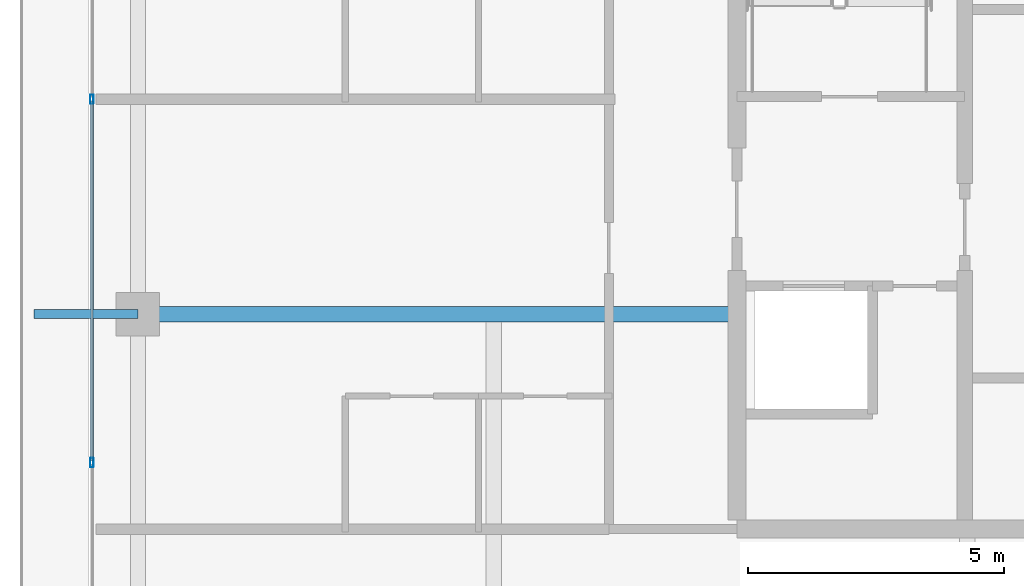
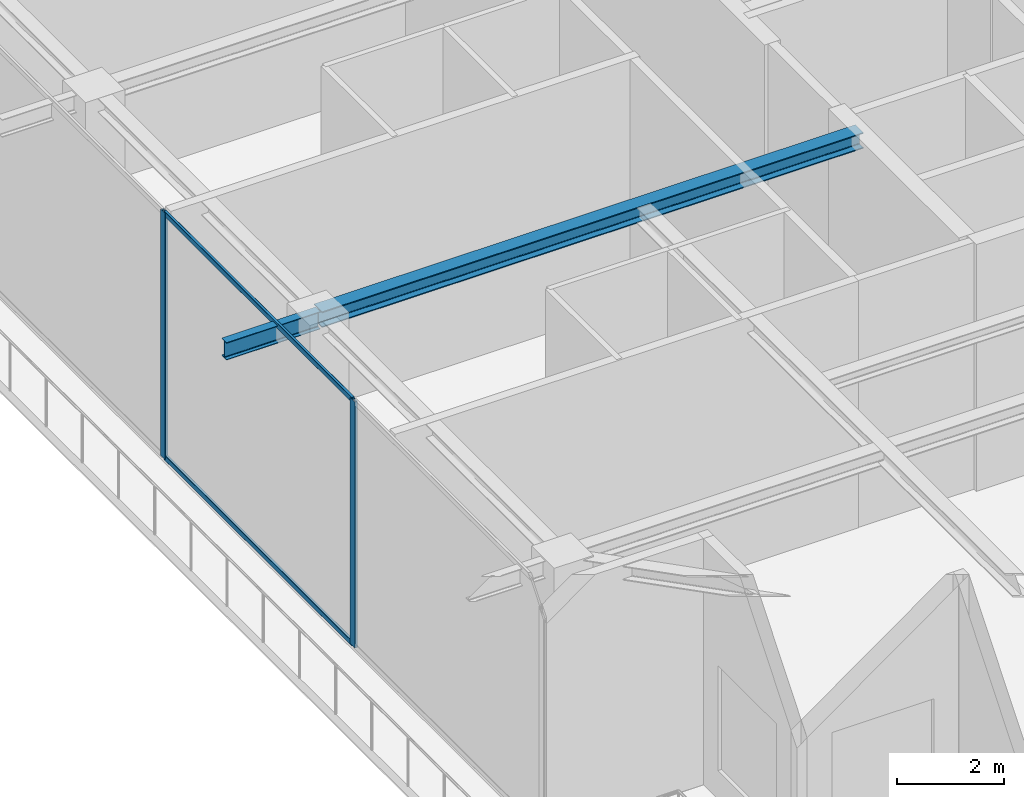
# One storey, part 8 of 38: 4 members, 2 beams, 1 element without a shape of its own.
"""IFC4 building model written with IfcOpenShell, lengths in metres."""

from ifc_helpers import new_model, si_unit, direction, frame, origin, origin_2d, place, context, subcontext, project, spatial, hollow_rectangle, i_section, extrude, source, transform, mapped, material, layer, layer_set, material_profile, profile_set, type_object, element, aggregate, save


model = new_model("IFC4")

# Units and contexts
model_context = context("Model", 3, precision=1e-05, world=origin(), true_north=direction((0.0, 1.0)))
body_context = subcontext(model_context, "Body", "Model", "MODEL_VIEW")
ifc_project = project(units=[si_unit("LENGTHUNIT", "METRE"), si_unit("AREAUNIT", "SQUARE_METRE"), si_unit("VOLUMEUNIT", "CUBIC_METRE"), si_unit("PLANEANGLEUNIT", "RADIAN"), si_unit("MASSUNIT", "GRAM", prefix="KILO")], contexts=[model_context])

# Site, building, storey
site_placement = place(None, origin())
site = spatial("IfcSite", under=ifc_project, at=site_placement, CompositionType="ELEMENT")
building_placement = place(site_placement, origin())
building = spatial("IfcBuilding", under=site, at=building_placement, Name="Serunith Strait Residences", CompositionType="ELEMENT")
storey_placement = place(building_placement, frame((0.0, 0.0, 342.050048828125)))
storey = spatial("IfcBuildingStorey", under=building, at=storey_placement, Name="L85", CompositionType="ELEMENT", Elevation=342.050048828125)

# Beams
ifc_material_1 = material(Name="Steel S355J2", Category="steel")
ifc_material_profile_1 = material_profile(ifc_material_1, i_section(OverallWidth=0.300048828125, OverallDepth=0.360107421875, WebThickness=0.012451171875, FlangeThickness=0.0224609375, FilletRadius=0.027099609375, at=origin_2d()), Name="HEB 360")
ifc_profile_set_1 = profile_set([ifc_material_profile_1], Name="Steel S355J2")
beam_type_1 = type_object("IfcBeamType", Name="BM-HEB360", PredefinedType="BEAM", material=ifc_profile_set_1)
shared_shape_1 = source(origin(), body_context, "Body", "SweptSolid", [
    extrude(i_section(OverallWidth=0.300048828125, OverallDepth=0.360107421875, WebThickness=0.012451171875, FlangeThickness=0.0224609375, FilletRadius=0.027099609375, at=origin_2d()), origin(), (0.0, 0.0, 1.0), 11.699951171875),
])
beam_1_placement = place(storey_placement, frame((23.39990234375, 21.0, 5.45703125), z_axis=(-1.0, 0.0, 0.0), x_axis=(0.0, -1.0, 0.0)))
element("IfcBeam", 1, at=beam_1_placement, inside=storey, type_object=beam_type_1, Name="L85 Primary Floor Girder TC-W2", PredefinedType="BEAM", context=body_context, shape_type="MappedRepresentation", body=[
    mapped(shared_shape_1, transform((0.0, 0.0, 0.0), scale=1.0)),
])
ifc_material_profile_2 = material_profile(ifc_material_1, i_section(OverallWidth=0.179931640625, OverallDepth=0.39990234375, WebThickness=0.008544921875, FlangeThickness=0.013427734375, FilletRadius=0.02099609375, at=origin_2d()), Name="IPE 400")
ifc_profile_set_2 = profile_set([ifc_material_profile_2], Name="Steel S355J2")
beam_type_2 = type_object("IfcBeamType", Name="BM-IPE400", PredefinedType="JOIST", material=ifc_profile_set_2)
shared_shape_2 = source(origin(), body_context, "Body", "SweptSolid", [
    extrude(i_section(OverallWidth=0.179931640625, OverallDepth=0.39990234375, WebThickness=0.008544921875, FlangeThickness=0.013427734375, FilletRadius=0.02099609375, at=origin_2d()), origin(), (0.0, 0.0, 1.0), 2.030029296875),
])
beam_2_placement = place(storey_placement, frame((11.699951171875, 21.0, 5.406982421875), z_axis=(-1.0, 0.0, 0.0), x_axis=(0.0, -1.0, 0.0)))
element("IfcBeam", 2, at=beam_2_placement, inside=storey, type_object=beam_type_2, Name="L86 Cantilevered Balcony Rib TC-W2", PredefinedType="JOIST", context=body_context, shape_type="MappedRepresentation", body=[
    mapped(shared_shape_2, transform((0.0, 0.0, 0.0), scale=1.0)),
])

# Curtain wall, members
ifc_material_2 = material(Name="Brushed Stainless-Silver Aluminium", Category="aluminium")
ifc_layer = layer(ifc_material_2, 0.199951171875, Name="Brushed Stainless-Silver Aluminium")
ifc_layer_set = layer_set([ifc_layer], Name="Brushed Stainless-Silver Aluminium")
curtain_wall_type = type_object("IfcCurtainWallType", Name="CW-SYS5", PredefinedType="NOTDEFINED", material=ifc_layer_set)
curtain_wall_placement = place(storey_placement, origin())
curtain_wall = element("IfcCurtainWall", 3, at=curtain_wall_placement, inside=storey, type_object=curtain_wall_type, Name="L85 W Unitised Fritted Curtain Wall", PredefinedType="NOTDEFINED")
ifc_material_profile_3 = material_profile(ifc_material_2, hollow_rectangle(XDim=0.06005859375, YDim=0.1201171875, WallThickness=0.00341796875, InnerFilletRadius=0.00537109375, OuterFilletRadius=0.0087890625, at=origin_2d()), Name="ALU 120x60x3.5")
ifc_profile_set_3 = profile_set([ifc_material_profile_3], Name="Brushed Stainless-Silver Aluminium")
member_type_1 = type_object("IfcMemberType", Name="CW-SYS5-TRAN", PredefinedType="USERDEFINED", material=ifc_profile_set_3)
shared_shape_3 = source(origin(), body_context, "Body", "SweptSolid", [
    extrude(hollow_rectangle(XDim=0.06005859375, YDim=0.1201171875, WallThickness=0.00341796875, InnerFilletRadius=0.00537109375, OuterFilletRadius=0.0087890625, at=origin_2d()), origin(), (0.0, 0.0, 1.0), 7.034912109375),
])
member_1_placement = place(storey_placement, frame((10.800048828125, 25.16748046875, 0.030029296875), z_axis=(0.0, -1.0, 0.0), x_axis=(1.0, 0.0, 0.0)))
member_1 = element("IfcMember", 4, at=member_1_placement, type_object=member_type_1, Name="CW-5 transom 3.1", ObjectType="TRANSOM", PredefinedType="USERDEFINED", context=body_context, shape_type="MappedRepresentation", body=[
    mapped(shared_shape_3, transform((0.0, 0.0, 0.0), scale=1.0)),
])
member_2_placement = place(storey_placement, frame((10.800048828125, 25.16748046875, 5.594970703125), z_axis=(0.0, -1.0, 0.0), x_axis=(1.0, 0.0, 0.0)))
member_2 = element("IfcMember", 5, at=member_2_placement, type_object=member_type_1, Name="CW-5 transom 3.2", ObjectType="TRANSOM", PredefinedType="USERDEFINED", context=body_context, shape_type="MappedRepresentation", body=[
    mapped(shared_shape_3, transform((0.0, 0.0, 0.0), scale=1.0)),
])
ifc_material_profile_4 = material_profile(ifc_material_2, hollow_rectangle(XDim=0.06494140625, YDim=0.179931640625, WallThickness=0.00341796875, InnerFilletRadius=0.00537109375, OuterFilletRadius=0.0087890625, at=origin_2d()), Name="ALU 180x65x3.5")
ifc_profile_set_4 = profile_set([ifc_material_profile_4], Name="Brushed Stainless-Silver Aluminium")
member_type_2 = type_object("IfcMemberType", Name="CW-SYS5-MULL", PredefinedType="MULLION", material=ifc_profile_set_4)
shared_shape_4 = source(origin(), body_context, "Body", "SweptSolid", [
    extrude(hollow_rectangle(XDim=0.06494140625, YDim=0.179931640625, WallThickness=0.00341796875, InnerFilletRadius=0.00537109375, OuterFilletRadius=0.0087890625, at=origin_2d()), origin(), (0.0, 0.0, 1.0), 5.625),
])
member_3_placement = place(storey_placement, frame((10.800048828125, 25.199951171875, 0.0), z_axis=(0.0, 0.0, 1.0), x_axis=(1.0, 0.0, 0.0)))
member_3 = element("IfcMember", 6, at=member_3_placement, type_object=member_type_2, Name="CW-5 mullion 3", PredefinedType="MULLION", context=body_context, shape_type="MappedRepresentation", body=[
    mapped(shared_shape_4, transform((0.0, 0.0, 0.0), scale=1.0)),
])
member_4_placement = place(storey_placement, frame((10.800048828125, 18.10009765625, 0.0), z_axis=(0.0, 0.0, 1.0), x_axis=(1.0, 0.0, 0.0)))
member_4 = element("IfcMember", 7, at=member_4_placement, type_object=member_type_2, Name="CW-5 mullion 4", PredefinedType="MULLION", context=body_context, shape_type="MappedRepresentation", body=[
    mapped(shared_shape_4, transform((0.0, 0.0, 0.0), scale=1.0)),
])
aggregate(curtain_wall, [member_3, member_4, member_1, member_2])

save(model, "model.ifc")
